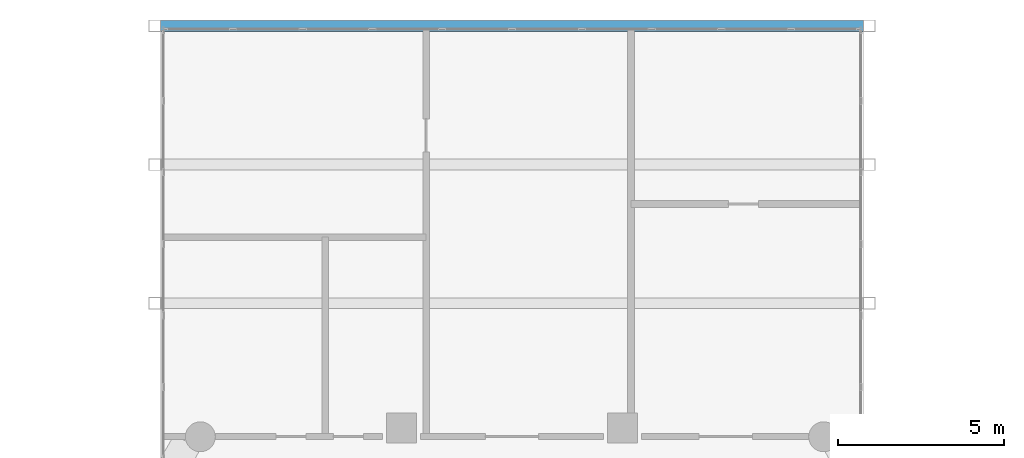
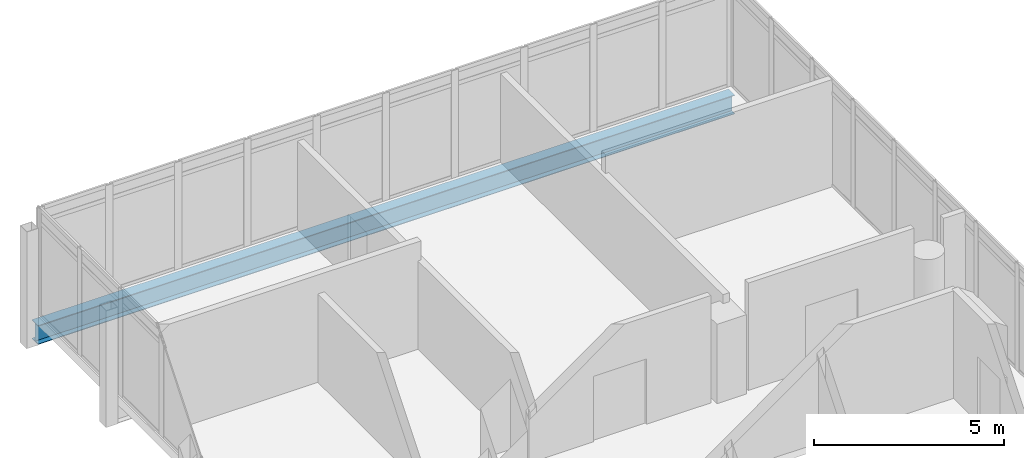
# One storey, part 22 of 37: 1 beam.
"""IFC4 building model written with IfcOpenShell, lengths in metres."""

from ifc_helpers import new_model, si_unit, direction, frame, origin, origin_2d, place, context, subcontext, project, spatial, i_section, extrude, material, material_profile, profile_set, type_object, element, save


model = new_model("IFC4")

# Units and contexts
model_context = context("Model", 3, precision=1e-05, world=origin(), true_north=direction((0.0, 1.0)))
body_context = subcontext(model_context, "Body", "Model", "MODEL_VIEW")
ifc_project = project(units=[si_unit("LENGTHUNIT", "METRE"), si_unit("AREAUNIT", "SQUARE_METRE"), si_unit("VOLUMEUNIT", "CUBIC_METRE"), si_unit("PLANEANGLEUNIT", "RADIAN"), si_unit("MASSUNIT", "GRAM", prefix="KILO")], contexts=[model_context])

# Site, building, storey
site_placement = place(None, origin())
site = spatial("IfcSite", under=ifc_project, at=site_placement, CompositionType="ELEMENT")
building_placement = place(site_placement, origin())
building = spatial("IfcBuilding", under=site, at=building_placement, Name="Ostrander Bayou Hotel Tower", CompositionType="ELEMENT")
storey_placement = place(building_placement, frame((0.0, 0.0, 225.75)))
storey = spatial("IfcBuildingStorey", under=building, at=storey_placement, Name="L56", CompositionType="ELEMENT", Elevation=225.75)

# Beam
ifc_material = material(Name="Steel ASTM A992", Category="steel")
ifc_material_profile = material_profile(ifc_material, i_section(OverallWidth=0.32373046875, OverallDepth=0.611083984375, WebThickness=0.0126953125, FlangeThickness=0.01904296875, at=origin_2d()))
ifc_profile_set = profile_set([ifc_material_profile], Name="Steel ASTM A992")
beam_type = type_object("IfcBeamType", Name="TF2 bar floor beam W24x104", PredefinedType="BEAM", material=ifc_profile_set)
beam_placement = place(storey_placement, frame((-10.587158203125, 28.966552734375, -0.605712890625), z_axis=(1.0, 0.0, 0.0), x_axis=(0.0, 1.0, 0.0)))
element("IfcBeam", 1, at=beam_placement, inside=storey, type_object=beam_type, Name="TF2 SB5W L2-1", PredefinedType="BEAM", context=body_context, shape_type="SweptSolid", body=[
    extrude(i_section(OverallWidth=0.32373046875, OverallDepth=0.611083984375, WebThickness=0.0126953125, FlangeThickness=0.01904296875, at=origin_2d()), origin(), (0.0, 0.0, 1.0), 21.17431640625),
])

save(model, "model.ifc")
